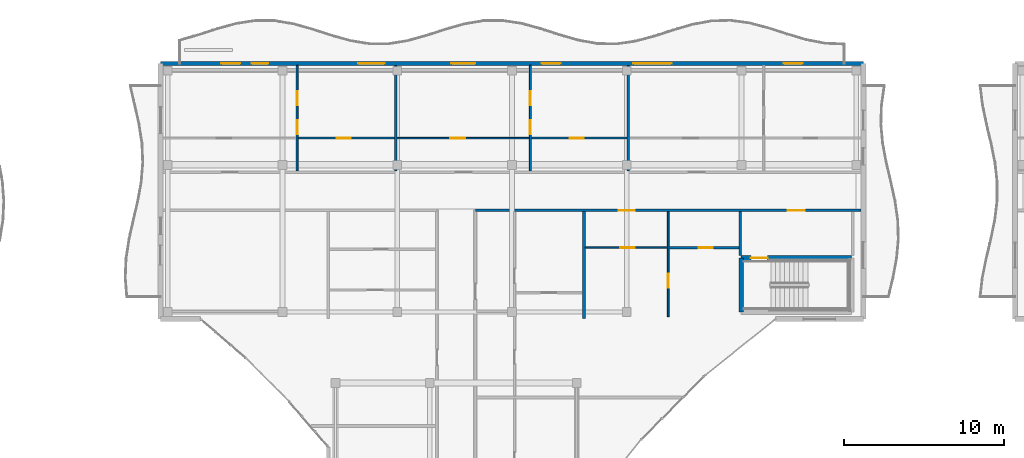
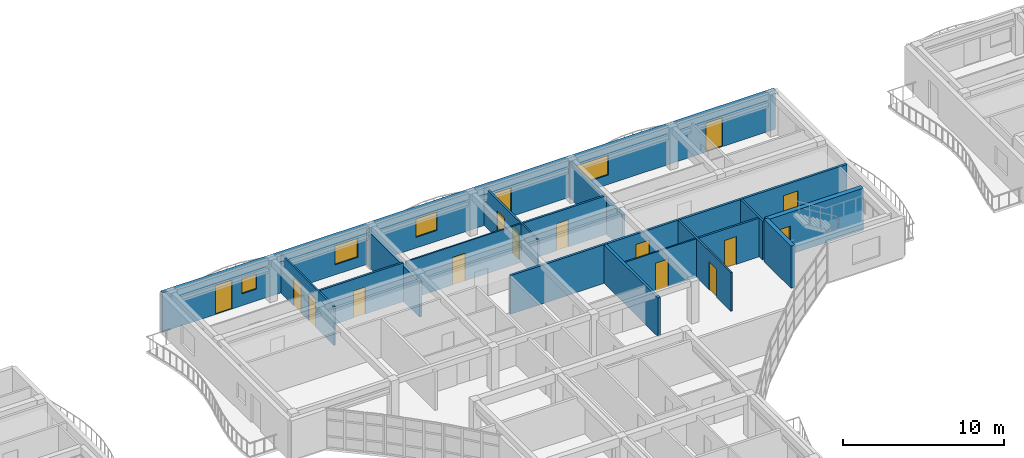
# One storey, part 39 of 68: 16 doors, 16 walls, 4 windows, 20 openings.
"""IFC4 building model written with IfcOpenShell, lengths in metres."""

from ifc_helpers import new_model, si_unit, direction, frame, frame_2d, origin, place, context, subcontext, project, spatial, rectangle, extrude, material, layer, layer_set, type_object, element, fill, save


model = new_model("IFC4")

# Units and contexts
model_context = context("Model", 3, precision=1e-05, world=origin(), true_north=direction((0.0, 1.0)))
body_context = subcontext(model_context, "Body", "Model", "MODEL_VIEW")
ifc_project = project(units=[si_unit("LENGTHUNIT", "METRE"), si_unit("AREAUNIT", "SQUARE_METRE"), si_unit("VOLUMEUNIT", "CUBIC_METRE"), si_unit("PLANEANGLEUNIT", "RADIAN"), si_unit("MASSUNIT", "GRAM", prefix="KILO")], contexts=[model_context])

# Site, building, storey
site_placement = place(None, origin())
site = spatial("IfcSite", under=ifc_project, at=site_placement, CompositionType="ELEMENT")
building_placement = place(site_placement, origin())
building = spatial("IfcBuilding", under=site, at=building_placement, Name="Keldmere Railside Commons", CompositionType="ELEMENT")
storey_placement = place(building_placement, frame((0.0, 0.0, 23.360107421875)))
storey = spatial("IfcBuildingStorey", under=building, at=storey_placement, Name="L07", CompositionType="ELEMENT", Elevation=23.360107421875)

# Walls
ifc_material_1 = material(Name="Acoustic Gypsum Board Partition", Category="gypsum")
ifc_layer_1 = layer(ifc_material_1, 0.179931640625, Name="Acoustic Demising Partition 180")
ifc_layer_set_1 = layer_set([ifc_layer_1], Name="Acoustic Gypsum Board Partition")
wall_type_1 = type_object("IfcWallType", Name="Acoustic Demising Partition 180", PredefinedType="PARTITIONING", material=ifc_layer_set_1)
wall_1_placement = place(storey_placement, frame((120.0, 100.050048828125, 0.0), z_axis=(0.0, 0.0, 1.0), x_axis=(0.0, 1.0, 0.0)))
element("IfcWall", 1, at=wall_1_placement, inside=storey, type_object=wall_type_1, Name="IW-1 IW-L07-1192", PredefinedType="PARTITIONING", context=body_context, shape_type="SweptSolid", body=[
    extrude(rectangle(XDim=6.669921875, YDim=0.179931640625, at=frame_2d((3.3349609375, 0.0))), origin(), (0.0, 0.0, 1.0), 2.934814453125),
])
for number, where, z_axis, x_axis, name in (
    (2, (108.219970703125, 109.280029296875, 0.0), (0.0, 0.0, 1.0), (0.0, 1.0, 0.0), "IW-1 IW-L07-1209"),
    (3, (122.780029296875, 109.280029296875, 0.0), (0.0, 0.0, 1.0), (0.0, 1.0, 0.0), "IW-1 IW-L07-1210"),
):
    element("IfcWall", number, at=place(storey_placement, frame(where, z_axis=z_axis, x_axis=x_axis)), inside=storey, type_object=wall_type_1, Name=name, PredefinedType="PARTITIONING", context=body_context, shape_type="SweptSolid", body=[
        extrude(rectangle(XDim=6.599853515625, YDim=0.179931640625, at=frame_2d((3.2998046875, 0.0))), origin(), (0.0, 0.0, 1.0), 2.679931640625),
    ])

# Wall, openings, doors
ifc_layer_2 = layer(ifc_material_1, 0.1201171875, Name="Apartment Interior Partition 120")
ifc_layer_set_2 = layer_set([ifc_layer_2], Name="Acoustic Gypsum Board Partition")
wall_type_2 = type_object("IfcWallType", Name="Apartment Interior Partition 120", PredefinedType="PARTITIONING", material=ifc_layer_set_2)
wall_2_placement = place(storey_placement, frame((102.050048828125, 109.280029296875, 0.0), z_axis=(0.0, 0.0, 1.0), x_axis=(0.0, 1.0, 0.0)))
wall_2 = element("IfcWall", 4, at=wall_2_placement, inside=storey, type_object=wall_type_2, Name="IW-4 IW-L07-1211", PredefinedType="PARTITIONING", context=body_context, shape_type="SweptSolid", body=[
    extrude(rectangle(XDim=6.599853515625, YDim=0.1201171875, at=frame_2d((3.2998046875, 0.0))), origin(), (0.0, 0.0, 1.0), 2.934814453125),
])
opening_1_placement = place(wall_2_placement, frame((2.305908203125, 0.0, 0.0)))
opening_1 = element("IfcOpeningElement", 5, at=opening_1_placement, cuts=wall_2, Name="Opening ID-04", PredefinedType="OPENING", context=body_context, shape_type="SweptSolid", body=[
    extrude(rectangle(XDim=0.860107421875, YDim=2.10009765625, at=frame_2d((0.43017578125, 1.050048828125))), frame((0.0, 0.070068359375, 0.0), z_axis=(0.0, -1.0, 0.0), x_axis=(1.0, 0.0, 0.0)), (0.0, 0.0, 1.0), 0.14013671875),
])
opening_2_placement = place(wall_2_placement, frame((4.097412109375, 0.0, 0.0)))
opening_2 = element("IfcOpeningElement", 6, at=opening_2_placement, cuts=wall_2, Name="Opening ID-01", PredefinedType="OPENING", context=body_context, shape_type="SweptSolid", body=[
    extrude(rectangle(XDim=0.89990234375, YDim=2.10009765625, at=frame_2d((0.449951171875, 1.050048828125))), frame((0.0, 0.070068359375, 0.0), z_axis=(0.0, -1.0, 0.0), x_axis=(1.0, 0.0, 0.0)), (0.0, 0.0, 1.0), 0.14013671875),
])
ifc_material_2 = material(Name="Engineered Oak Timber", Category="wood")
door_type_1 = type_object("IfcDoorType", Name="Apartment Bathroom Door 860x2100", OperationType="NOTDEFINED", PredefinedType="DOOR", material=ifc_material_2)
door_1_placement = place(opening_1_placement, origin())
door_1 = element("IfcDoor", 7, at=door_1_placement, inside=storey, type_object=door_type_1, Name="ID-04 IDR-L07-1073", OperationType="SINGLE_SWING_LEFT", OverallHeight=2.10009765625, OverallWidth=0.860107421875, PredefinedType="DOOR", context=body_context, shape_type="SweptSolid", body=[
    extrude(rectangle(XDim=0.860107421875, YDim=2.10009765625, at=frame_2d((0.43017578125, 1.050048828125))), frame((0.0, 0.02490234375, 0.0), z_axis=(0.0, -1.0, 0.0), x_axis=(1.0, 0.0, 0.0)), (0.0, 0.0, 1.0), 0.050048828125),
])
fill(opening_1, door_1)
door_type_2 = type_object("IfcDoorType", Name="Primary Bedroom Door 900x2100", OperationType="NOTDEFINED", PredefinedType="DOOR", material=ifc_material_2)
door_2_placement = place(opening_2_placement, origin())
door_2 = element("IfcDoor", 8, at=door_2_placement, inside=storey, type_object=door_type_2, Name="ID-01 IDR-L07-1074", OperationType="SINGLE_SWING_RIGHT", OverallHeight=2.10009765625, OverallWidth=0.89990234375, PredefinedType="DOOR", context=body_context, shape_type="SweptSolid", body=[
    extrude(rectangle(XDim=0.89990234375, YDim=2.10009765625, at=frame_2d((0.449951171875, 1.050048828125))), frame((0.0, 0.02490234375, 0.0), z_axis=(0.0, -1.0, 0.0), x_axis=(1.0, 0.0, 0.0)), (0.0, 0.0, 1.0), 0.050048828125),
])
fill(opening_2, door_2)

wall_3_placement = place(storey_placement, frame((116.64990234375, 109.280029296875, 0.0), z_axis=(0.0, 0.0, 1.0), x_axis=(0.0, 1.0, 0.0)))
wall_3 = element("IfcWall", 9, at=wall_3_placement, inside=storey, type_object=wall_type_2, Name="IW-4 IW-L07-1214", PredefinedType="PARTITIONING", context=body_context, shape_type="SweptSolid", body=[
    extrude(rectangle(XDim=6.599853515625, YDim=0.1201171875, at=frame_2d((3.2998046875, 0.0))), origin(), (0.0, 0.0, 1.0), 2.934814453125),
])
opening_3_placement = place(wall_3_placement, frame((2.305908203125, 0.0, 0.0)))
opening_3 = element("IfcOpeningElement", 10, at=opening_3_placement, cuts=wall_3, Name="Opening ID-04", PredefinedType="OPENING", context=body_context, shape_type="SweptSolid", body=[
    extrude(rectangle(XDim=0.860107421875, YDim=2.10009765625, at=frame_2d((0.43017578125, 1.050048828125))), frame((0.0, 0.070068359375, 0.0), z_axis=(0.0, -1.0, 0.0), x_axis=(1.0, 0.0, 0.0)), (0.0, 0.0, 1.0), 0.14013671875),
])
opening_4_placement = place(wall_3_placement, frame((4.097412109375, 0.0, 0.0)))
opening_4 = element("IfcOpeningElement", 11, at=opening_4_placement, cuts=wall_3, Name="Opening ID-01", PredefinedType="OPENING", context=body_context, shape_type="SweptSolid", body=[
    extrude(rectangle(XDim=0.89990234375, YDim=2.10009765625, at=frame_2d((0.449951171875, 1.050048828125))), frame((0.0, 0.070068359375, 0.0), z_axis=(0.0, -1.0, 0.0), x_axis=(1.0, 0.0, 0.0)), (0.0, 0.0, 1.0), 0.14013671875),
])
door_3_placement = place(opening_3_placement, origin())
door_3 = element("IfcDoor", 12, at=door_3_placement, inside=storey, type_object=door_type_1, Name="ID-04 IDR-L07-1078", OperationType="SINGLE_SWING_RIGHT", OverallHeight=2.10009765625, OverallWidth=0.860107421875, PredefinedType="DOOR", context=body_context, shape_type="SweptSolid", body=[
    extrude(rectangle(XDim=0.860107421875, YDim=2.10009765625, at=frame_2d((0.43017578125, 1.050048828125))), frame((0.0, 0.02490234375, 0.0), z_axis=(0.0, -1.0, 0.0), x_axis=(1.0, 0.0, 0.0)), (0.0, 0.0, 1.0), 0.050048828125),
])
fill(opening_3, door_3)
door_4_placement = place(opening_4_placement, origin())
door_4 = element("IfcDoor", 13, at=door_4_placement, inside=storey, type_object=door_type_2, Name="ID-01 IDR-L07-1079", OperationType="SINGLE_SWING_LEFT", OverallHeight=2.10009765625, OverallWidth=0.89990234375, PredefinedType="DOOR", context=body_context, shape_type="SweptSolid", body=[
    extrude(rectangle(XDim=0.89990234375, YDim=2.10009765625, at=frame_2d((0.449951171875, 1.050048828125))), frame((0.0, 0.02490234375, 0.0), z_axis=(0.0, -1.0, 0.0), x_axis=(1.0, 0.0, 0.0)), (0.0, 0.0, 1.0), 0.050048828125),
])
fill(opening_4, door_4)

# Wall, opening, door
wall_4_placement = place(storey_placement, frame((125.280029296875, 100.159912109375, 0.0), z_axis=(0.0, 0.0, 1.0), x_axis=(0.0, 1.0, 0.0)))
wall_4 = element("IfcWall", 14, at=wall_4_placement, inside=storey, type_object=wall_type_2, Name="IW-4 IW-L07-1220", PredefinedType="PARTITIONING", context=body_context, shape_type="SweptSolid", body=[
    extrude(rectangle(XDim=6.56005859375, YDim=0.1201171875, at=frame_2d((3.280029296875, 0.0))), origin(), (0.0, 0.0, 1.0), 2.934814453125),
])
opening_5_placement = place(wall_4_placement, frame((1.810302734375, 0.0, 0.0)))
opening_5 = element("IfcOpeningElement", 15, at=opening_5_placement, cuts=wall_4, Name="Opening ID-02", PredefinedType="OPENING", context=body_context, shape_type="SweptSolid", body=[
    extrude(rectangle(XDim=0.8798828125, YDim=2.10009765625, at=frame_2d((0.43994140625, 1.050048828125))), frame((0.0, 0.070068359375, 0.0), z_axis=(0.0, -1.0, 0.0), x_axis=(1.0, 0.0, 0.0)), (0.0, 0.0, 1.0), 0.14013671875),
])
door_type_3 = type_object("IfcDoorType", Name="Secondary Bedroom Door 880x2100", OperationType="NOTDEFINED", PredefinedType="DOOR", material=ifc_material_2)
door_5_placement = place(opening_5_placement, origin())
door_5 = element("IfcDoor", 16, at=door_5_placement, inside=storey, type_object=door_type_3, Name="ID-02 IDR-L07-1088", OperationType="SINGLE_SWING_RIGHT", OverallHeight=2.10009765625, OverallWidth=0.8798828125, PredefinedType="DOOR", context=body_context, shape_type="SweptSolid", body=[
    extrude(rectangle(XDim=0.8798828125, YDim=2.10009765625, at=frame_2d((0.43994140625, 1.050048828125))), frame((0.0, 0.02490234375, 0.0), z_axis=(0.0, -1.0, 0.0), x_axis=(1.0, 0.0, 0.0)), (0.0, 0.0, 1.0), 0.050048828125),
])
fill(opening_5, door_5)

ifc_layer_3 = layer(ifc_material_1, 0.10009765625, Name="Closet Light Partition 100")
ifc_layer_set_3 = layer_set([ifc_layer_3], Name="Acoustic Gypsum Board Partition")
wall_type_3 = type_object("IfcWallType", Name="Closet Light Partition 100", PredefinedType="PARTITIONING", material=ifc_layer_set_3)
wall_5_placement = place(storey_placement, frame((108.31005859375, 111.330078125, 0.0), z_axis=(0.0, 0.0, 1.0), x_axis=(1.0, 0.0, 0.0)))
wall_5 = element("IfcWall", 17, at=wall_5_placement, inside=storey, type_object=wall_type_3, Name="IW-6 IW-L07-1216", PredefinedType="PARTITIONING", context=body_context, shape_type="SweptSolid", body=[
    extrude(rectangle(XDim=8.280029296875, YDim=0.10009765625, at=frame_2d((4.14013671875, 0.0))), origin(), (0.0, 0.0, 1.0), 2.934814453125),
])
opening_6_placement = place(wall_5_placement, frame((3.3359375, 0.0, 0.0)))
opening_6 = element("IfcOpeningElement", 18, at=opening_6_placement, cuts=wall_5, Name="Opening ID-03", PredefinedType="OPENING", context=body_context, shape_type="SweptSolid", body=[
    extrude(rectangle(XDim=0.919921875, YDim=2.10009765625, at=frame_2d((0.4599609375, 1.050048828125))), frame((0.0, 0.06005859375, 0.0), z_axis=(0.0, -1.0, 0.0), x_axis=(1.0, 0.0, 0.0)), (0.0, 0.0, 1.0), 0.1201171875),
])
door_type_4 = type_object("IfcDoorType", Name="Kitchen Pocket-Frame Swing Door 920x2100", OperationType="NOTDEFINED", PredefinedType="DOOR", material=ifc_material_2)
door_6_placement = place(opening_6_placement, origin())
door_6 = element("IfcDoor", 19, at=door_6_placement, inside=storey, type_object=door_type_4, Name="ID-03 IDR-L07-1077", OperationType="SINGLE_SWING_LEFT", OverallHeight=2.10009765625, OverallWidth=0.919921875, PredefinedType="DOOR", context=body_context, shape_type="SweptSolid", body=[
    extrude(rectangle(XDim=0.919921875, YDim=2.10009765625, at=frame_2d((0.4599609375, 1.050048828125))), frame((0.0, 0.02490234375, 0.0), z_axis=(0.0, -1.0, 0.0), x_axis=(1.0, 0.0, 0.0)), (0.0, 0.0, 1.0), 0.050048828125),
])
fill(opening_6, door_6)

wall_6_placement = place(storey_placement, frame((120.090087890625, 104.469970703125, 0.0), z_axis=(0.0, 0.0, 1.0), x_axis=(1.0, 0.0, 0.0)))
wall_6 = element("IfcWall", 20, at=wall_6_placement, inside=storey, type_object=wall_type_3, Name="IW-6 IW-L07-1222", PredefinedType="PARTITIONING", context=body_context, shape_type="SweptSolid", body=[
    extrude(rectangle(XDim=5.1298828125, YDim=0.10009765625, at=frame_2d((2.56494140625, 0.0))), origin(), (0.0, 0.0, 1.0), 2.934814453125),
])
opening_7_placement = place(wall_6_placement, frame((2.1796875, 0.0, 0.0)))
opening_7 = element("IfcOpeningElement", 21, at=opening_7_placement, cuts=wall_6, Name="Opening ID-03", PredefinedType="OPENING", context=body_context, shape_type="SweptSolid", body=[
    extrude(rectangle(XDim=0.919921875, YDim=2.10009765625, at=frame_2d((0.4599609375, 1.050048828125))), frame((0.0, 0.06005859375, 0.0), z_axis=(0.0, -1.0, 0.0), x_axis=(1.0, 0.0, 0.0)), (0.0, 0.0, 1.0), 0.1201171875),
])
door_7_placement = place(opening_7_placement, origin())
door_7 = element("IfcDoor", 22, at=door_7_placement, inside=storey, type_object=door_type_4, Name="ID-03 IDR-L07-1087", OperationType="SINGLE_SWING_LEFT", OverallHeight=2.10009765625, OverallWidth=0.919921875, PredefinedType="DOOR", context=body_context, shape_type="SweptSolid", body=[
    extrude(rectangle(XDim=0.919921875, YDim=2.10009765625, at=frame_2d((0.4599609375, 1.050048828125))), frame((0.0, 0.02490234375, 0.0), z_axis=(0.0, -1.0, 0.0), x_axis=(1.0, 0.0, 0.0)), (0.0, 0.0, 1.0), 0.050048828125),
])
fill(opening_7, door_7)

# Wall, openings, doors
ifc_layer_4 = layer(ifc_material_1, 0.159912109375, Name="Corridor Fire Partition 160")
ifc_layer_set_4 = layer_set([ifc_layer_4], Name="Acoustic Gypsum Board Partition")
wall_type_4 = type_object("IfcWallType", Name="Corridor Fire Partition 160", PredefinedType="PARTITIONING", material=ifc_layer_set_4)
wall_7_placement = place(storey_placement, frame((113.199951171875, 106.800048828125, 0.0), z_axis=(0.0, 0.0, 1.0), x_axis=(1.0, 0.0, 0.0)))
wall_7 = element("IfcWall", 23, at=wall_7_placement, inside=storey, type_object=wall_type_4, Name="IW-2 IW-L07-1190", PredefinedType="PARTITIONING", context=body_context, shape_type="SweptSolid", body=[
    extrude(rectangle(XDim=24.14013671875, YDim=0.159912109375, at=frame_2d((12.070068359375, 0.0))), origin(), (0.0, 0.0, 1.0), 2.934814453125),
])
opening_8_placement = place(wall_7_placement, frame((19.574951171875, 0.0, 0.0)))
opening_8 = element("IfcOpeningElement", 24, at=opening_8_placement, cuts=wall_7, Name="Opening FD-1", PredefinedType="OPENING", context=body_context, shape_type="SweptSolid", body=[
    extrude(rectangle(XDim=1.050048828125, YDim=2.14990234375, at=frame_2d((0.52490234375, 1.074951171875))), frame((0.0, 0.08984375, 0.0), z_axis=(0.0, -1.0, 0.0), x_axis=(1.0, 0.0, 0.0)), (0.0, 0.0, 1.0), 0.179931640625),
])
opening_9_placement = place(wall_7_placement, frame((8.9951171875, 0.0, 0.0)))
opening_9 = element("IfcOpeningElement", 25, at=opening_9_placement, cuts=wall_7, Name="Opening FD-7", PredefinedType="OPENING", context=body_context, shape_type="SweptSolid", body=[
    extrude(rectangle(XDim=0.97998046875, YDim=2.14990234375, at=frame_2d((0.489990234375, 1.074951171875))), frame((0.0, 0.08984375, 0.0), z_axis=(0.0, -1.0, 0.0), x_axis=(1.0, 0.0, 0.0)), (0.0, 0.0, 1.0), 0.179931640625),
])
door_type_5 = type_object("IfcDoorType", Name="Apartment Entrance Acoustic Fire Door 980x2150", OperationType="NOTDEFINED", PredefinedType="DOOR", material=ifc_material_2)
door_8_placement = place(opening_9_placement, origin())
door_8 = element("IfcDoor", 26, at=door_8_placement, inside=storey, type_object=door_type_5, Name="FD-7 IDR-L07-1086", OperationType="SINGLE_SWING_RIGHT", OverallHeight=2.14990234375, OverallWidth=0.97998046875, PredefinedType="DOOR", context=body_context, shape_type="SweptSolid", body=[
    extrude(rectangle(XDim=0.97998046875, YDim=2.14990234375, at=frame_2d((0.489990234375, 1.074951171875))), frame((0.0, 0.02490234375, 0.0), z_axis=(0.0, -1.0, 0.0), x_axis=(1.0, 0.0, 0.0)), (0.0, 0.0, 1.0), 0.050048828125),
])
fill(opening_9, door_8)
ifc_material_3 = material(Name="Steel F-24 (S235)", Category="steel")
door_type_6 = type_object("IfcDoorType", Name="Stair Core Fire Door 1050x2150", OperationType="NOTDEFINED", PredefinedType="DOOR", material=ifc_material_3)
door_9_placement = place(opening_8_placement, origin())
door_9 = element("IfcDoor", 27, at=door_9_placement, inside=storey, type_object=door_type_6, Name="FD-1 IDR-L07-1054", OperationType="SINGLE_SWING_RIGHT", OverallHeight=2.14990234375, OverallWidth=1.050048828125, PredefinedType="DOOR", context=body_context, shape_type="SweptSolid", body=[
    extrude(rectangle(XDim=1.050048828125, YDim=2.14990234375, at=frame_2d((0.52490234375, 1.074951171875))), frame((0.0, 0.02490234375, 0.0), z_axis=(0.0, -1.0, 0.0), x_axis=(1.0, 0.0, 0.0)), (0.0, 0.0, 1.0), 0.050048828125),
])
fill(opening_8, door_9)

# Wall
ifc_material_4 = material(Name="Concrete H-35 (C35/45)", Category="concrete")
ifc_layer_5 = layer(ifc_material_4, 0.300048828125, Name="Interior Shear Wall 300")
ifc_layer_set_5 = layer_set([ifc_layer_5], Name="Concrete H-35 (C35/45)")
wall_type_5 = type_object("IfcWallType", Name="Interior Shear Wall 300", PredefinedType="SHEAR", material=ifc_layer_set_5)
wall_8_placement = place(storey_placement, frame((129.85009765625, 103.820068359375, 0.0), z_axis=(0.0, 0.0, 1.0), x_axis=(0.0, -1.0, 0.0)))
element("IfcWall", 28, at=wall_8_placement, inside=storey, type_object=wall_type_5, Name="ISW-2 COREB2W-L07-0526", PredefinedType="SHEAR", context=body_context, shape_type="SweptSolid", body=[
    extrude(rectangle(XDim=3.3701171875, YDim=0.300048828125, at=frame_2d((1.68505859375, 0.0))), origin(), (0.0, 0.0, 1.0), 3.199951171875),
])

# Wall, opening, door
ifc_layer_6 = layer(ifc_material_4, 0.340087890625, Name="Interior Shear Wall 340")
ifc_layer_set_6 = layer_set([ifc_layer_6], Name="Concrete H-35 (C35/45)")
wall_type_6 = type_object("IfcWallType", Name="Interior Shear Wall 340", PredefinedType="SHEAR", material=ifc_layer_set_6)
wall_9_placement = place(storey_placement, frame((136.75, 103.820068359375, 0.0), z_axis=(0.0, 0.0, 1.0), x_axis=(-1.0, 0.0, 0.0)))
wall_9 = element("IfcWall", 29, at=wall_9_placement, inside=storey, type_object=wall_type_6, Name="ISW-1 COREB2N-L07-0525", PredefinedType="SHEAR", context=body_context, shape_type="SweptSolid", body=[
    extrude(rectangle(XDim=6.89990234375, YDim=0.340087890625, at=frame_2d((3.449951171875, 0.0))), origin(), (0.0, 0.0, 1.0), 3.199951171875),
])
opening_10_placement = place(wall_9_placement, frame((5.25, 0.0, 0.0)))
opening_10 = element("IfcOpeningElement", 30, at=opening_10_placement, cuts=wall_9, Name="Opening FD-1", PredefinedType="OPENING", context=body_context, shape_type="SweptSolid", body=[
    extrude(rectangle(XDim=1.050048828125, YDim=2.14990234375, at=frame_2d((0.52490234375, 1.074951171875))), frame((0.0, 0.179931640625, 0.0), z_axis=(0.0, -1.0, 0.0), x_axis=(1.0, 0.0, 0.0)), (0.0, 0.0, 1.0), 0.360107421875),
])
door_10_placement = place(opening_10_placement, origin())
door_10 = element("IfcDoor", 31, at=door_10_placement, inside=storey, type_object=door_type_6, Name="FD-1 B2 L07", OperationType="SINGLE_SWING_RIGHT", OverallHeight=2.14990234375, OverallWidth=1.050048828125, PredefinedType="DOOR", context=body_context, shape_type="SweptSolid", body=[
    extrude(rectangle(XDim=1.050048828125, YDim=2.14990234375, at=frame_2d((0.52490234375, 1.074951171875))), frame((0.0, 0.02490234375, 0.0), z_axis=(0.0, -1.0, 0.0), x_axis=(1.0, 0.0, 0.0)), (0.0, 0.0, 1.0), 0.050048828125),
])
fill(opening_10, door_10)

# Wall
ifc_layer_7 = layer(ifc_material_1, 0.14990234375, Name="Lobby Rated Partition 150")
ifc_layer_set_7 = layer_set([ifc_layer_7], Name="Acoustic Gypsum Board Partition")
wall_type_7 = type_object("IfcWallType", Name="Lobby Rated Partition 150", PredefinedType="PARTITIONING", material=ifc_layer_set_7)
wall_10_placement = place(storey_placement, frame((129.780029296875, 103.989990234375, 0.0), z_axis=(0.0, 0.0, 1.0), x_axis=(0.0, 1.0, 0.0)))
element("IfcWall", 32, at=wall_10_placement, inside=storey, type_object=wall_type_7, Name="IW-3 IW-L07-1194", PredefinedType="PARTITIONING", context=body_context, shape_type="SweptSolid", body=[
    extrude(rectangle(XDim=2.72998046875, YDim=0.14990234375, at=frame_2d((1.364990234375, 0.0))), origin(), (0.0, 0.0, 1.0), 2.934814453125),
])

# Wall, openings, windows, doors
ifc_material_5 = material(Name="Architectural Precast Concrete H-35 (C35/45)", Category="concrete")
ifc_layer_8 = layer(ifc_material_5, 0.239990234375, Name="Sand-Ochre Precast Cavity Wall 240")
ifc_layer_set_8 = layer_set([ifc_layer_8], Name="Architectural Precast Concrete H-35 (C35/45)")
wall_type_8 = type_object("IfcWallType", Name="Sand-Ochre Precast Cavity Wall 240", PredefinedType="SOLIDWALL", material=ifc_layer_set_8)
wall_11_placement = place(storey_placement, frame((93.5, 116.0, 0.0), z_axis=(0.0, 0.0, 1.0), x_axis=(1.0, 0.0, 0.0)))
wall_11 = element("IfcWall", 33, at=wall_11_placement, inside=storey, type_object=wall_type_8, Name="EW-2 EXTB-L07-0642", PredefinedType="SOLIDWALL", context=body_context, shape_type="SweptSolid", body=[
    extrude(rectangle(XDim=44.0, YDim=0.239990234375, at=frame_2d((22.0, 0.0))), origin(), (0.0, 0.0, 1.0), 2.97998046875),
])
opening_11_placement = place(wall_11_placement, frame((3.800048828125, 0.0, 0.0)))
opening_11 = element("IfcOpeningElement", 34, at=opening_11_placement, cuts=wall_11, Name="Opening BD-01", PredefinedType="OPENING", context=body_context, shape_type="SweptSolid", body=[
    extrude(rectangle(XDim=1.199951171875, YDim=2.199951171875, at=frame_2d((0.60009765625, 1.10009765625))), frame((0.0, 0.1298828125, 0.0), z_axis=(0.0, -1.0, 0.0), x_axis=(1.0, 0.0, 0.0)), (0.0, 0.0, 1.0), 0.260009765625),
])
opening_12_placement = place(wall_11_placement, frame((5.699951171875, 0.0, 0.89990234375)))
opening_12 = element("IfcOpeningElement", 35, at=opening_12_placement, cuts=wall_11, Name="Opening WN-13", PredefinedType="OPENING", context=body_context, shape_type="SweptSolid", body=[
    extrude(rectangle(XDim=1.050048828125, YDim=1.14990234375, at=frame_2d((0.52490234375, 0.574951171875))), frame((0.0, 0.1298828125, 0.0), z_axis=(0.0, -1.0, 0.0), x_axis=(1.0, 0.0, 0.0)), (0.0, 0.0, 1.0), 0.260009765625),
])
opening_13_placement = place(wall_11_placement, frame((12.375, 0.0, 0.77001953125)))
opening_13 = element("IfcOpeningElement", 36, at=opening_13_placement, cuts=wall_11, Name="Opening WN-03", PredefinedType="OPENING", context=body_context, shape_type="SweptSolid", body=[
    extrude(rectangle(XDim=1.64990234375, YDim=1.449951171875, at=frame_2d((0.824951171875, 0.72509765625))), frame((0.0, 0.1298828125, 0.0), z_axis=(0.0, -1.0, 0.0), x_axis=(1.0, 0.0, 0.0)), (0.0, 0.0, 1.0), 0.260009765625),
])
opening_14_placement = place(wall_11_placement, frame((23.85009765625, 0.0, 0.0)))
opening_14 = element("IfcOpeningElement", 37, at=opening_14_placement, cuts=wall_11, Name="Opening BD-01", PredefinedType="OPENING", context=body_context, shape_type="SweptSolid", body=[
    extrude(rectangle(XDim=1.199951171875, YDim=2.199951171875, at=frame_2d((0.60009765625, 1.10009765625))), frame((0.0, 0.1298828125, 0.0), z_axis=(0.0, -1.0, 0.0), x_axis=(1.0, 0.0, 0.0)), (0.0, 0.0, 1.0), 0.260009765625),
])
opening_15_placement = place(wall_11_placement, frame((29.60009765625, 0.0, 0.719970703125)))
opening_15 = element("IfcOpeningElement", 38, at=opening_15_placement, cuts=wall_11, Name="Opening WN-05", PredefinedType="OPENING", context=body_context, shape_type="SweptSolid", body=[
    extrude(rectangle(XDim=2.39990234375, YDim=1.5, at=frame_2d((1.199951171875, 0.75))), frame((0.0, 0.1298828125, 0.0), z_axis=(0.0, -1.0, 0.0), x_axis=(1.0, 0.0, 0.0)), (0.0, 0.0, 1.0), 0.260009765625),
])
opening_16_placement = place(wall_11_placement, frame((39.0, 0.0, 0.0)))
opening_16 = element("IfcOpeningElement", 39, at=opening_16_placement, cuts=wall_11, Name="Opening BD-01", PredefinedType="OPENING", context=body_context, shape_type="SweptSolid", body=[
    extrude(rectangle(XDim=1.199951171875, YDim=2.199951171875, at=frame_2d((0.60009765625, 1.10009765625))), frame((0.0, 0.1298828125, 0.0), z_axis=(0.0, -1.0, 0.0), x_axis=(1.0, 0.0, 0.0)), (0.0, 0.0, 1.0), 0.260009765625),
])
opening_17_placement = place(wall_11_placement, frame((18.205078125, 0.0, 0.820068359375)))
opening_17 = element("IfcOpeningElement", 40, at=opening_17_placement, cuts=wall_11, Name="Opening WN-06", PredefinedType="OPENING", context=body_context, shape_type="SweptSolid", body=[
    extrude(rectangle(XDim=1.5, YDim=1.39990234375, at=frame_2d((0.75, 0.699951171875))), frame((0.0, 0.1298828125, 0.0), z_axis=(0.0, -1.0, 0.0), x_axis=(1.0, 0.0, 0.0)), (0.0, 0.0, 1.0), 0.260009765625),
])
ifc_material_6 = material(Name="Low-E Insulated Double Glazing", Category="glass")
window_type_1 = type_object("IfcWindowType", Name="Apartment Kitchen Casement Window 1050x1150", PartitioningType="SINGLE_PANEL", PredefinedType="WINDOW", material=ifc_material_6)
window_1_placement = place(opening_12_placement, origin())
window_1 = element("IfcWindow", 41, at=window_1_placement, inside=storey, type_object=window_type_1, Name="WN-13 WIN-L07-0483", OverallHeight=1.14990234375, OverallWidth=1.050048828125, PartitioningType="SINGLE_PANEL", PredefinedType="WINDOW", context=body_context, shape_type="SweptSolid", body=[
    extrude(rectangle(XDim=1.050048828125, YDim=1.14990234375, at=frame_2d((0.52490234375, 0.574951171875))), frame((0.0, 0.030029296875, 0.0), z_axis=(0.0, -1.0, 0.0), x_axis=(1.0, 0.0, 0.0)), (0.0, 0.0, 1.0), 0.06005859375),
])
fill(opening_12, window_1)
ifc_material_7 = material(Name="Thermally Broken Aluminium", Category="aluminium")
door_type_7 = type_object("IfcDoorType", Name="Apartment Living Wave-Balcony Glazed Door 1200x2200", OperationType="NOTDEFINED", PredefinedType="DOOR", material=ifc_material_7)
door_11_placement = place(opening_11_placement, origin())
door_11 = element("IfcDoor", 42, at=door_11_placement, inside=storey, type_object=door_type_7, Name="BD-01 DR-L07-0179", OperationType="SINGLE_SWING_LEFT", OverallHeight=2.199951171875, OverallWidth=1.199951171875, PredefinedType="DOOR", context=body_context, shape_type="SweptSolid", body=[
    extrude(rectangle(XDim=1.199951171875, YDim=2.199951171875, at=frame_2d((0.60009765625, 1.10009765625))), frame((0.0, 0.02490234375, 0.0), z_axis=(0.0, -1.0, 0.0), x_axis=(1.0, 0.0, 0.0)), (0.0, 0.0, 1.0), 0.050048828125),
])
fill(opening_11, door_11)
door_12_placement = place(opening_14_placement, origin())
door_12 = element("IfcDoor", 43, at=door_12_placement, inside=storey, type_object=door_type_7, Name="BD-01 DR-L07-0180", OperationType="SINGLE_SWING_RIGHT", OverallHeight=2.199951171875, OverallWidth=1.199951171875, PredefinedType="DOOR", context=body_context, shape_type="SweptSolid", body=[
    extrude(rectangle(XDim=1.199951171875, YDim=2.199951171875, at=frame_2d((0.60009765625, 1.10009765625))), frame((0.0, 0.02490234375, 0.0), z_axis=(0.0, -1.0, 0.0), x_axis=(1.0, 0.0, 0.0)), (0.0, 0.0, 1.0), 0.050048828125),
])
fill(opening_14, door_12)
door_13_placement = place(opening_16_placement, origin())
door_13 = element("IfcDoor", 44, at=door_13_placement, inside=storey, type_object=door_type_7, Name="BD-01 DR-L07-0181", OperationType="SINGLE_SWING_LEFT", OverallHeight=2.199951171875, OverallWidth=1.199951171875, PredefinedType="DOOR", context=body_context, shape_type="SweptSolid", body=[
    extrude(rectangle(XDim=1.199951171875, YDim=2.199951171875, at=frame_2d((0.60009765625, 1.10009765625))), frame((0.0, 0.02490234375, 0.0), z_axis=(0.0, -1.0, 0.0), x_axis=(1.0, 0.0, 0.0)), (0.0, 0.0, 1.0), 0.050048828125),
])
fill(opening_16, door_13)
window_type_2 = type_object("IfcWindowType", Name="Corner Dual-Aspect Ribbon Window 2400x1500", PartitioningType="SINGLE_PANEL", PredefinedType="WINDOW", material=ifc_material_6)
window_2_placement = place(opening_15_placement, origin())
window_2 = element("IfcWindow", 45, at=window_2_placement, inside=storey, type_object=window_type_2, Name="WN-05 WIN-L07-0485", OverallHeight=1.5, OverallWidth=2.39990234375, PartitioningType="SINGLE_PANEL", PredefinedType="WINDOW", context=body_context, shape_type="SweptSolid", body=[
    extrude(rectangle(XDim=2.39990234375, YDim=1.5, at=frame_2d((1.199951171875, 0.75))), frame((0.0, 0.030029296875, 0.0), z_axis=(0.0, -1.0, 0.0), x_axis=(1.0, 0.0, 0.0)), (0.0, 0.0, 1.0), 0.06005859375),
])
fill(opening_15, window_2)
window_type_3 = type_object("IfcWindowType", Name="Living Room East Shaded Window 1650x1450", PartitioningType="SINGLE_PANEL", PredefinedType="WINDOW", material=ifc_material_6)
window_3_placement = place(opening_13_placement, origin())
window_3 = element("IfcWindow", 46, at=window_3_placement, inside=storey, type_object=window_type_3, Name="WN-03 WIN-L07-0484", OverallHeight=1.449951171875, OverallWidth=1.64990234375, PartitioningType="SINGLE_PANEL", PredefinedType="WINDOW", context=body_context, shape_type="SweptSolid", body=[
    extrude(rectangle(XDim=1.64990234375, YDim=1.449951171875, at=frame_2d((0.824951171875, 0.72509765625))), frame((0.0, 0.030029296875, 0.0), z_axis=(0.0, -1.0, 0.0), x_axis=(1.0, 0.0, 0.0)), (0.0, 0.0, 1.0), 0.06005859375),
])
fill(opening_13, window_3)
window_type_4 = type_object("IfcWindowType", Name="Primary Bedroom North Window 1500x1400", PartitioningType="SINGLE_PANEL", PredefinedType="WINDOW", material=ifc_material_6)
window_4_placement = place(opening_17_placement, origin())
window_4 = element("IfcWindow", 47, at=window_4_placement, inside=storey, type_object=window_type_4, Name="WN-06 WIN-L07-9063", OverallHeight=1.39990234375, OverallWidth=1.5, PartitioningType="SINGLE_PANEL", PredefinedType="WINDOW", context=body_context, shape_type="SweptSolid", body=[
    extrude(rectangle(XDim=1.5, YDim=1.39990234375, at=frame_2d((0.75, 0.699951171875))), frame((0.0, 0.030029296875, 0.0), z_axis=(0.0, -1.0, 0.0), x_axis=(1.0, 0.0, 0.0)), (0.0, 0.0, 1.0), 0.06005859375),
])
fill(opening_17, window_4)

# Wall, opening, door
ifc_layer_9 = layer(ifc_material_1, 0.139892578125, Name="Wet-Room Sanitary Partition 140")
ifc_layer_set_9 = layer_set([ifc_layer_9], Name="Acoustic Gypsum Board Partition")
wall_type_9 = type_object("IfcWallType", Name="Wet-Room Sanitary Partition 140", PredefinedType="PARTITIONING", material=ifc_layer_set_9)
wall_12_placement = place(storey_placement, frame((102.110107421875, 111.330078125, 0.0), z_axis=(0.0, 0.0, 1.0), x_axis=(1.0, 0.0, 0.0)))
wall_12 = element("IfcWall", 48, at=wall_12_placement, inside=storey, type_object=wall_type_9, Name="IW-5 IW-L07-1212", PredefinedType="PARTITIONING", context=body_context, shape_type="SweptSolid", body=[
    extrude(rectangle(XDim=6.019775390625, YDim=0.139892578125, at=frame_2d((3.009765625, 0.0))), origin(), (0.0, 0.0, 1.0), 2.934814453125),
])
opening_18_placement = place(wall_12_placement, frame((2.431884765625, 0.0, 0.0)))
opening_18 = element("IfcOpeningElement", 49, at=opening_18_placement, cuts=wall_12, Name="Opening ID-06", PredefinedType="OPENING", context=body_context, shape_type="SweptSolid", body=[
    extrude(rectangle(XDim=0.85009765625, YDim=2.050048828125, at=frame_2d((0.425048828125, 1.02490234375))), frame((0.0, 0.079833984375, 0.0), z_axis=(0.0, -1.0, 0.0), x_axis=(1.0, 0.0, 0.0)), (0.0, 0.0, 1.0), 0.159912109375),
])
door_type_8 = type_object("IfcDoorType", Name="Storage Closet Door 850x2050", OperationType="NOTDEFINED", PredefinedType="DOOR", material=ifc_material_2)
door_14_placement = place(opening_18_placement, origin())
door_14 = element("IfcDoor", 50, at=door_14_placement, inside=storey, type_object=door_type_8, Name="ID-06 IDR-L07-1075", OperationType="SINGLE_SWING_LEFT", OverallHeight=2.050048828125, OverallWidth=0.85009765625, PredefinedType="DOOR", context=body_context, shape_type="SweptSolid", body=[
    extrude(rectangle(XDim=0.85009765625, YDim=2.050048828125, at=frame_2d((0.425048828125, 1.02490234375))), frame((0.0, 0.02490234375, 0.0), z_axis=(0.0, -1.0, 0.0), x_axis=(1.0, 0.0, 0.0)), (0.0, 0.0, 1.0), 0.050048828125),
])
fill(opening_18, door_14)

wall_13_placement = place(storey_placement, frame((116.7099609375, 111.330078125, 0.0), z_axis=(0.0, 0.0, 1.0), x_axis=(1.0, 0.0, 0.0)))
wall_13 = element("IfcWall", 51, at=wall_13_placement, inside=storey, type_object=wall_type_9, Name="IW-5 IW-L07-1215", PredefinedType="PARTITIONING", context=body_context, shape_type="SweptSolid", body=[
    extrude(rectangle(XDim=5.97998046875, YDim=0.139892578125, at=frame_2d((2.989990234375, 0.0))), origin(), (0.0, 0.0, 1.0), 2.934814453125),
])
opening_19_placement = place(wall_13_placement, frame((2.416015625, 0.0, 0.0)))
opening_19 = element("IfcOpeningElement", 52, at=opening_19_placement, cuts=wall_13, Name="Opening ID-06", PredefinedType="OPENING", context=body_context, shape_type="SweptSolid", body=[
    extrude(rectangle(XDim=0.85009765625, YDim=2.050048828125, at=frame_2d((0.425048828125, 1.02490234375))), frame((0.0, 0.079833984375, 0.0), z_axis=(0.0, -1.0, 0.0), x_axis=(1.0, 0.0, 0.0)), (0.0, 0.0, 1.0), 0.159912109375),
])
door_15_placement = place(opening_19_placement, origin())
door_15 = element("IfcDoor", 53, at=door_15_placement, inside=storey, type_object=door_type_8, Name="ID-06 IDR-L07-1080", OperationType="SINGLE_SWING_RIGHT", OverallHeight=2.050048828125, OverallWidth=0.85009765625, PredefinedType="DOOR", context=body_context, shape_type="SweptSolid", body=[
    extrude(rectangle(XDim=0.85009765625, YDim=2.050048828125, at=frame_2d((0.425048828125, 1.02490234375))), frame((0.0, 0.02490234375, 0.0), z_axis=(0.0, -1.0, 0.0), x_axis=(1.0, 0.0, 0.0)), (0.0, 0.0, 1.0), 0.050048828125),
])
fill(opening_19, door_15)

wall_14_placement = place(storey_placement, frame((125.340087890625, 104.469970703125, 0.0), z_axis=(0.0, 0.0, 1.0), x_axis=(1.0, 0.0, 0.0)))
wall_14 = element("IfcWall", 54, at=wall_14_placement, inside=storey, type_object=wall_type_9, Name="IW-5 IW-L07-1221", PredefinedType="PARTITIONING", context=body_context, shape_type="SweptSolid", body=[
    extrude(rectangle(XDim=4.35986328125, YDim=0.139892578125, at=frame_2d((2.179931640625, 0.0))), origin(), (0.0, 0.0, 1.0), 2.934814453125),
])
opening_20_placement = place(wall_14_placement, frame((1.8564453125, 0.0, 0.0)))
opening_20 = element("IfcOpeningElement", 55, at=opening_20_placement, cuts=wall_14, Name="Opening ID-04", PredefinedType="OPENING", context=body_context, shape_type="SweptSolid", body=[
    extrude(rectangle(XDim=0.860107421875, YDim=2.10009765625, at=frame_2d((0.43017578125, 1.050048828125))), frame((0.0, 0.079833984375, 0.0), z_axis=(0.0, -1.0, 0.0), x_axis=(1.0, 0.0, 0.0)), (0.0, 0.0, 1.0), 0.159912109375),
])
door_16_placement = place(opening_20_placement, origin())
door_16 = element("IfcDoor", 56, at=door_16_placement, inside=storey, type_object=door_type_1, Name="ID-04 IDR-L07-1089", OperationType="SINGLE_SWING_LEFT", OverallHeight=2.10009765625, OverallWidth=0.860107421875, PredefinedType="DOOR", context=body_context, shape_type="SweptSolid", body=[
    extrude(rectangle(XDim=0.860107421875, YDim=2.10009765625, at=frame_2d((0.43017578125, 1.050048828125))), frame((0.0, 0.02490234375, 0.0), z_axis=(0.0, -1.0, 0.0), x_axis=(1.0, 0.0, 0.0)), (0.0, 0.0, 1.0), 0.050048828125),
])
fill(opening_20, door_16)

save(model, "model.ifc")
